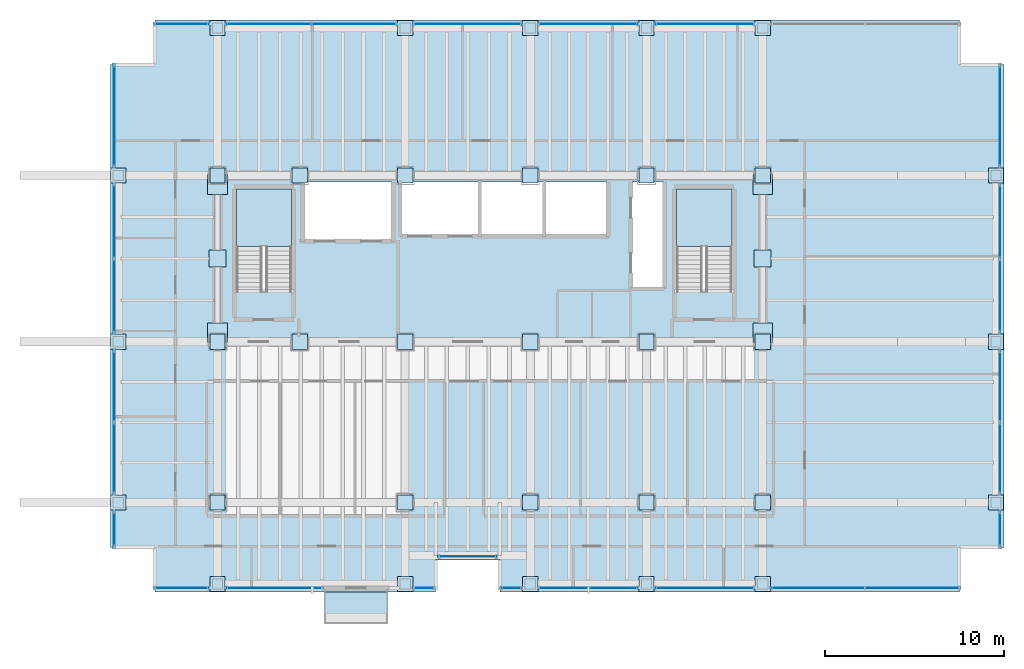
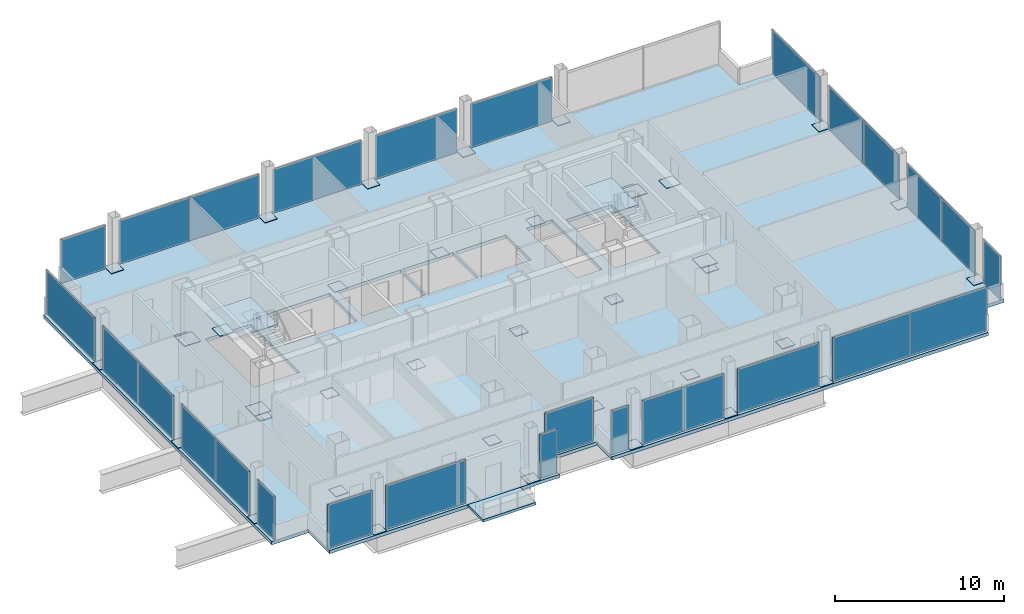
# One storey, part 19 of 23: 66 plates, 4 slabs, 7 openings, 23 elements without a shape of their own.
"""IFC4 building model written with IfcOpenShell, lengths in metres."""

from ifc_helpers import new_model, si_unit, direction, frame, origin, origin_2d, place, context, subcontext, project, spatial, polyline, rectangle, outline, extrude, material, layer, layer_set, type_object, element, aggregate, save


model = new_model("IFC4")

# Units and contexts
model_context = context("Model", 3, precision=1e-05, world=origin(), true_north=direction((0.0, 1.0)))
body_context = subcontext(model_context, "Body", "Model", "MODEL_VIEW")
ifc_project = project(units=[si_unit("LENGTHUNIT", "METRE"), si_unit("AREAUNIT", "SQUARE_METRE"), si_unit("VOLUMEUNIT", "CUBIC_METRE"), si_unit("PLANEANGLEUNIT", "RADIAN"), si_unit("MASSUNIT", "GRAM", prefix="KILO")], contexts=[model_context])

# Site, building, storey
site_placement = place(None, origin())
site = spatial("IfcSite", under=ifc_project, at=site_placement, CompositionType="ELEMENT")
building_placement = place(site_placement, origin())
building = spatial("IfcBuilding", under=site, at=building_placement, Name="Noeulbin Bourse Tower", CompositionType="ELEMENT")
storey_placement = place(building_placement, frame((0.0, 0.0, 53.800048828125)))
storey = spatial("IfcBuildingStorey", under=building, at=storey_placement, Name="L13", CompositionType="ELEMENT", Elevation=53.800048828125)

# Curtain wall, plate
ifc_material_1 = material(Name="Dark Solar-Control Double Glazing", Category="glass")
curtain_wall_type = type_object("IfcCurtainWallType", Name="CW-SYS-2", PredefinedType="NOTDEFINED", material=ifc_material_1)
curtain_wall_1_placement = place(storey_placement, origin())
curtain_wall_1 = element("IfcCurtainWall", 1, at=curtain_wall_1_placement, inside=storey, type_object=curtain_wall_type, Name="Unitised Curtain Wall CW-L13-SREC", PredefinedType="NOTDEFINED")
ifc_layer_1 = layer(ifc_material_1, 0.035888671875)
ifc_layer_set_1 = layer_set([ifc_layer_1], Name="Dark Solar-Control Double Glazing")
plate_type_1 = type_object("IfcPlateType", Name="CW-SYS-2-PNL", PredefinedType="CURTAIN_PANEL", material=ifc_layer_set_1)
plate_1_placement = place(storey_placement, frame((27.5, 16.97998046875, 0.0), z_axis=(0.0, 0.0, 1.0), x_axis=(1.0, 0.0, 0.0)))
plate_1 = element("IfcPlate", 2, at=plate_1_placement, type_object=plate_type_1, Name="Glazed Curtain Panel CW-L13-SREC-P00", PredefinedType="CURTAIN_PANEL", context=body_context, shape_type="SweptSolid", body=[
    extrude(rectangle(XDim=3.300048828125, YDim=0.035888671875, at=origin_2d()), origin(), (0.0, 0.0, 1.0), 3.179931640625),
])
aggregate(curtain_wall_1, [plate_1])

curtain_wall_2_placement = place(storey_placement, origin())
curtain_wall_2 = element("IfcCurtainWall", 3, at=curtain_wall_2_placement, inside=storey, type_object=curtain_wall_type, Name="Unitised Curtain Wall CW-L13-S1-S1", PredefinedType="NOTDEFINED")
plate_2_placement = place(storey_placement, frame((11.510009765625, 15.219970703125, 0.0), z_axis=(0.0, 0.0, 1.0), x_axis=(1.0, 0.0, 0.0)))
plate_2 = element("IfcPlate", 4, at=plate_2_placement, type_object=plate_type_1, Name="Glazed Curtain Panel CW-L13-S1-S1-P00", PredefinedType="CURTAIN_PANEL", context=body_context, shape_type="SweptSolid", body=[
    extrude(rectangle(XDim=3.06005859375, YDim=0.035888671875, at=origin_2d()), origin(), (0.0, 0.0, 1.0), 3.179931640625),
])
aggregate(curtain_wall_2, [plate_2])

curtain_wall_3_placement = place(storey_placement, origin())
curtain_wall_3 = element("IfcCurtainWall", 5, at=curtain_wall_3_placement, inside=storey, type_object=curtain_wall_type, Name="Unitised Curtain Wall CW-L13-S1-S2", PredefinedType="NOTDEFINED")
plate_3_placement = place(storey_placement, frame((16.679931640625, 15.219970703125, 0.0), z_axis=(0.0, 0.0, 1.0), x_axis=(1.0, 0.0, 0.0)))
plate_3 = element("IfcPlate", 6, at=plate_3_placement, type_object=plate_type_1, Name="Glazed Curtain Panel CW-L13-S1-S2-P00", PredefinedType="CURTAIN_PANEL", context=body_context, shape_type="SweptSolid", body=[
    extrude(rectangle(XDim=5.43994140625, YDim=0.035888671875, at=origin_2d()), origin(), (0.0, 0.0, 1.0), 3.179931640625),
])
aggregate(curtain_wall_3, [plate_3])

curtain_wall_4_placement = place(storey_placement, origin())
curtain_wall_4 = element("IfcCurtainWall", 7, at=curtain_wall_4_placement, inside=storey, type_object=curtain_wall_type, Name="Unitised Curtain Wall CW-L13-S2", PredefinedType="NOTDEFINED")
plate_4_placement = place(storey_placement, frame((25.054931640625, 15.219970703125, 0.0), z_axis=(0.0, 0.0, 1.0), x_axis=(1.0, 0.0, 0.0)))
plate_4 = element("IfcPlate", 8, at=plate_4_placement, type_object=plate_type_1, Name="Glazed Curtain Panel CW-L13-S2-P00", PredefinedType="CURTAIN_PANEL", context=body_context, shape_type="SweptSolid", body=[
    extrude(rectangle(XDim=1.18994140625, YDim=0.035888671875, at=origin_2d()), origin(), (0.0, 0.0, 1.0), 3.179931640625),
])
aggregate(curtain_wall_4, [plate_4])

curtain_wall_5_placement = place(storey_placement, origin())
curtain_wall_5 = element("IfcCurtainWall", 9, at=curtain_wall_5_placement, inside=storey, type_object=curtain_wall_type, Name="Unitised Curtain Wall CW-L13-S3-S1", PredefinedType="NOTDEFINED")
plate_5_placement = place(storey_placement, frame((29.945068359375, 15.219970703125, 0.0), z_axis=(0.0, 0.0, 1.0), x_axis=(1.0, 0.0, 0.0)))
plate_5 = element("IfcPlate", 10, at=plate_5_placement, type_object=plate_type_1, Name="Glazed Curtain Panel CW-L13-S3-S1-P00", PredefinedType="CURTAIN_PANEL", context=body_context, shape_type="SweptSolid", body=[
    extrude(rectangle(XDim=1.18994140625, YDim=0.035888671875, at=origin_2d()), origin(), (0.0, 0.0, 1.0), 3.179931640625),
])
aggregate(curtain_wall_5, [plate_5])

curtain_wall_6_placement = place(storey_placement, origin())
curtain_wall_6 = element("IfcCurtainWall", 11, at=curtain_wall_6_placement, inside=storey, type_object=curtain_wall_type, Name="Unitised Curtain Wall CW-L13-S3-S2", PredefinedType="NOTDEFINED")
plate_6_placement = place(storey_placement, frame((34.25, 15.219970703125, 0.0), z_axis=(0.0, 0.0, 1.0), x_axis=(1.0, 0.0, 0.0)))
plate_6 = element("IfcPlate", 12, at=plate_6_placement, type_object=plate_type_1, Name="Glazed Curtain Panel CW-L13-S3-S2-P00", PredefinedType="CURTAIN_PANEL", context=body_context, shape_type="SweptSolid", body=[
    extrude(rectangle(XDim=5.580078125, YDim=0.035888671875, at=origin_2d()), origin(), (0.0, 0.0, 1.0), 3.179931640625),
])
aggregate(curtain_wall_6, [plate_6])

curtain_wall_7_placement = place(storey_placement, origin())
curtain_wall_7 = element("IfcCurtainWall", 13, at=curtain_wall_7_placement, inside=storey, type_object=curtain_wall_type, Name="Unitised Curtain Wall CW-L13-S3-S3", PredefinedType="NOTDEFINED")
plate_7_placement = place(storey_placement, frame((40.75, 15.219970703125, 0.0), z_axis=(0.0, 0.0, 1.0), x_axis=(1.0, 0.0, 0.0)))
plate_7 = element("IfcPlate", 14, at=plate_7_placement, type_object=plate_type_1, Name="Glazed Curtain Panel CW-L13-S3-S3-P00", PredefinedType="CURTAIN_PANEL", context=body_context, shape_type="SweptSolid", body=[
    extrude(rectangle(XDim=5.580078125, YDim=0.035888671875, at=origin_2d()), origin(), (0.0, 0.0, 1.0), 3.179931640625),
])
aggregate(curtain_wall_7, [plate_7])

# Curtain wall, plates
curtain_wall_8_placement = place(storey_placement, origin())
curtain_wall_8 = element("IfcCurtainWall", 15, at=curtain_wall_8_placement, inside=storey, type_object=curtain_wall_type, Name="Unitised Curtain Wall CW-L13-S3-S4", PredefinedType="NOTDEFINED")
plate_8_placement = place(storey_placement, frame((47.10009765625, 15.219970703125, 0.0), z_axis=(0.0, 0.0, 1.0), x_axis=(1.0, 0.0, 0.0)))
plate_8 = element("IfcPlate", 16, at=plate_8_placement, type_object=plate_type_1, Name="Glazed Curtain Panel CW-L13-S3-S4-P00", PredefinedType="CURTAIN_PANEL", context=body_context, shape_type="SweptSolid", body=[
    extrude(rectangle(XDim=5.280029296875, YDim=0.035888671875, at=origin_2d()), origin(), (0.0, 0.0, 1.0), 3.179931640625),
])
plate_9_placement = place(storey_placement, frame((52.3798828125, 15.219970703125, 0.0), z_axis=(0.0, 0.0, 1.0), x_axis=(1.0, 0.0, 0.0)))
plate_9 = element("IfcPlate", 17, at=plate_9_placement, type_object=plate_type_1, Name="Glazed Curtain Panel CW-L13-S3-S4-P01", PredefinedType="CURTAIN_PANEL", context=body_context, shape_type="SweptSolid", body=[
    extrude(rectangle(XDim=5.280029296875, YDim=0.035888671875, at=origin_2d()), origin(), (0.0, 0.0, 1.0), 3.179931640625),
])
aggregate(curtain_wall_8, [plate_8, plate_9])

# Curtain wall, plate
curtain_wall_9_placement = place(storey_placement, origin())
curtain_wall_9 = element("IfcCurtainWall", 18, at=curtain_wall_9_placement, inside=storey, type_object=curtain_wall_type, Name="Unitised Curtain Wall CW-L13-N-S1", PredefinedType="NOTDEFINED")
plate_10_placement = place(storey_placement, frame((11.510009765625, 46.780029296875, 0.0), z_axis=(0.0, 0.0, 1.0), x_axis=(1.0, 0.0, 0.0)))
plate_10 = element("IfcPlate", 19, at=plate_10_placement, type_object=plate_type_1, Name="Glazed Curtain Panel CW-L13-N-S1-P00", PredefinedType="CURTAIN_PANEL", context=body_context, shape_type="SweptSolid", body=[
    extrude(rectangle(XDim=3.06005859375, YDim=0.035888671875, at=origin_2d()), origin(), (0.0, 0.0, 1.0), 3.179931640625),
])
aggregate(curtain_wall_9, [plate_10])

# Curtain wall, plates
curtain_wall_10_placement = place(storey_placement, origin())
curtain_wall_10 = element("IfcCurtainWall", 20, at=curtain_wall_10_placement, inside=storey, type_object=curtain_wall_type, Name="Unitised Curtain Wall CW-L13-N-S2", PredefinedType="NOTDEFINED")
plate_11_placement = place(storey_placement, frame((16.35498046875, 46.780029296875, 0.0), z_axis=(0.0, 0.0, 1.0), x_axis=(1.0, 0.0, 0.0)))
plate_11 = element("IfcPlate", 21, at=plate_11_placement, type_object=plate_type_1, Name="Glazed Curtain Panel CW-L13-N-S2-P00", PredefinedType="CURTAIN_PANEL", context=body_context, shape_type="SweptSolid", body=[
    extrude(rectangle(XDim=4.7900390625, YDim=0.035888671875, at=origin_2d()), origin(), (0.0, 0.0, 1.0), 3.179931640625),
])
plate_12_placement = place(storey_placement, frame((21.14501953125, 46.780029296875, 0.0), z_axis=(0.0, 0.0, 1.0), x_axis=(1.0, 0.0, 0.0)))
plate_12 = element("IfcPlate", 22, at=plate_12_placement, type_object=plate_type_1, Name="Glazed Curtain Panel CW-L13-N-S2-P01", PredefinedType="CURTAIN_PANEL", context=body_context, shape_type="SweptSolid", body=[
    extrude(rectangle(XDim=4.7900390625, YDim=0.035888671875, at=origin_2d()), origin(), (0.0, 0.0, 1.0), 3.179931640625),
])
aggregate(curtain_wall_10, [plate_11, plate_12])

# Curtain wall, plate
curtain_wall_11_placement = place(storey_placement, origin())
curtain_wall_11 = element("IfcCurtainWall", 23, at=curtain_wall_11_placement, inside=storey, type_object=curtain_wall_type, Name="Unitised Curtain Wall CW-L13-N-S3", PredefinedType="NOTDEFINED")
plate_13_placement = place(storey_placement, frame((27.5, 46.780029296875, 0.0), z_axis=(0.0, 0.0, 1.0), x_axis=(1.0, 0.0, 0.0)))
plate_13 = element("IfcPlate", 24, at=plate_13_placement, type_object=plate_type_1, Name="Glazed Curtain Panel CW-L13-N-S3-P00", PredefinedType="CURTAIN_PANEL", context=body_context, shape_type="SweptSolid", body=[
    extrude(rectangle(XDim=6.080078125, YDim=0.035888671875, at=origin_2d()), origin(), (0.0, 0.0, 1.0), 3.179931640625),
])
aggregate(curtain_wall_11, [plate_13])

curtain_wall_12_placement = place(storey_placement, origin())
curtain_wall_12 = element("IfcCurtainWall", 25, at=curtain_wall_12_placement, inside=storey, type_object=curtain_wall_type, Name="Unitised Curtain Wall CW-L13-N-S4", PredefinedType="NOTDEFINED")
plate_14_placement = place(storey_placement, frame((34.25, 46.780029296875, 0.0), z_axis=(0.0, 0.0, 1.0), x_axis=(1.0, 0.0, 0.0)))
plate_14 = element("IfcPlate", 26, at=plate_14_placement, type_object=plate_type_1, Name="Glazed Curtain Panel CW-L13-N-S4-P00", PredefinedType="CURTAIN_PANEL", context=body_context, shape_type="SweptSolid", body=[
    extrude(rectangle(XDim=5.580078125, YDim=0.035888671875, at=origin_2d()), origin(), (0.0, 0.0, 1.0), 3.179931640625),
])
aggregate(curtain_wall_12, [plate_14])

curtain_wall_13_placement = place(storey_placement, origin())
curtain_wall_13 = element("IfcCurtainWall", 27, at=curtain_wall_13_placement, inside=storey, type_object=curtain_wall_type, Name="Unitised Curtain Wall CW-L13-N-S5", PredefinedType="NOTDEFINED")
plate_15_placement = place(storey_placement, frame((40.75, 46.780029296875, 0.0), z_axis=(0.0, 0.0, 1.0), x_axis=(1.0, 0.0, 0.0)))
plate_15 = element("IfcPlate", 28, at=plate_15_placement, type_object=plate_type_1, Name="Glazed Curtain Panel CW-L13-N-S5-P00", PredefinedType="CURTAIN_PANEL", context=body_context, shape_type="SweptSolid", body=[
    extrude(rectangle(XDim=5.580078125, YDim=0.035888671875, at=origin_2d()), origin(), (0.0, 0.0, 1.0), 3.179931640625),
])
aggregate(curtain_wall_13, [plate_15])

curtain_wall_14_placement = place(storey_placement, origin())
curtain_wall_14 = element("IfcCurtainWall", 29, at=curtain_wall_14_placement, inside=storey, type_object=curtain_wall_type, Name="Unitised Curtain Wall CW-L13-W-S1", PredefinedType="NOTDEFINED")
plate_16_placement = place(storey_placement, frame((7.719970703125, 18.510009765625, 0.0), z_axis=(0.0, 0.0, 1.0), x_axis=(0.0, 1.0, 0.0)))
plate_16 = element("IfcPlate", 30, at=plate_16_placement, type_object=plate_type_1, Name="Glazed Curtain Panel CW-L13-W-S1-P00", PredefinedType="CURTAIN_PANEL", context=body_context, shape_type="SweptSolid", body=[
    extrude(rectangle(XDim=2.06005859375, YDim=0.035888671875, at=origin_2d()), origin(), (0.0, 0.0, 1.0), 3.179931640625),
])
aggregate(curtain_wall_14, [plate_16])

# Curtain wall, plates
curtain_wall_15_placement = place(storey_placement, origin())
curtain_wall_15 = element("IfcCurtainWall", 31, at=curtain_wall_15_placement, inside=storey, type_object=curtain_wall_type, Name="Unitised Curtain Wall CW-L13-W-S2", PredefinedType="NOTDEFINED")
plate_17_placement = place(storey_placement, frame((7.719970703125, 22.47998046875, 0.0), z_axis=(0.0, 0.0, 1.0), x_axis=(0.0, 1.0, 0.0)))
plate_17 = element("IfcPlate", 32, at=plate_17_placement, type_object=plate_type_1, Name="Glazed Curtain Panel CW-L13-W-S2-P00", PredefinedType="CURTAIN_PANEL", context=body_context, shape_type="SweptSolid", body=[
    extrude(rectangle(XDim=4.0400390625, YDim=0.035888671875, at=origin_2d()), origin(), (0.0, 0.0, 1.0), 3.179931640625),
])
plate_18_placement = place(storey_placement, frame((7.719970703125, 26.52001953125, 0.0), z_axis=(0.0, 0.0, 1.0), x_axis=(0.0, 1.0, 0.0)))
plate_18 = element("IfcPlate", 33, at=plate_18_placement, type_object=plate_type_1, Name="Glazed Curtain Panel CW-L13-W-S2-P01", PredefinedType="CURTAIN_PANEL", context=body_context, shape_type="SweptSolid", body=[
    extrude(rectangle(XDim=4.0400390625, YDim=0.035888671875, at=origin_2d()), origin(), (0.0, 0.0, 1.0), 3.179931640625),
])
aggregate(curtain_wall_15, [plate_17, plate_18])

curtain_wall_16_placement = place(storey_placement, origin())
curtain_wall_16 = element("IfcCurtainWall", 34, at=curtain_wall_16_placement, inside=storey, type_object=curtain_wall_type, Name="Unitised Curtain Wall CW-L13-W-S3", PredefinedType="NOTDEFINED")
plate_19_placement = place(storey_placement, frame((7.719970703125, 31.554931640625, 0.0), z_axis=(0.0, 0.0, 1.0), x_axis=(0.0, 1.0, 0.0)))
plate_19 = element("IfcPlate", 35, at=plate_19_placement, type_object=plate_type_1, Name="Glazed Curtain Panel CW-L13-W-S3-P00", PredefinedType="CURTAIN_PANEL", context=body_context, shape_type="SweptSolid", body=[
    extrude(rectangle(XDim=4.18994140625, YDim=0.035888671875, at=origin_2d()), origin(), (0.0, 0.0, 1.0), 3.179931640625),
])
plate_20_placement = place(storey_placement, frame((7.719970703125, 35.7451171875, 0.0), z_axis=(0.0, 0.0, 1.0), x_axis=(0.0, 1.0, 0.0)))
plate_20 = element("IfcPlate", 36, at=plate_20_placement, type_object=plate_type_1, Name="Glazed Curtain Panel CW-L13-W-S3-P01", PredefinedType="CURTAIN_PANEL", context=body_context, shape_type="SweptSolid", body=[
    extrude(rectangle(XDim=4.18994140625, YDim=0.035888671875, at=origin_2d()), origin(), (0.0, 0.0, 1.0), 3.179931640625),
])
aggregate(curtain_wall_16, [plate_19, plate_20])

# Curtain wall, plate
curtain_wall_17_placement = place(storey_placement, origin())
curtain_wall_17 = element("IfcCurtainWall", 37, at=curtain_wall_17_placement, inside=storey, type_object=curtain_wall_type, Name="Unitised Curtain Wall CW-L13-W-S4", PredefinedType="NOTDEFINED")
plate_21_placement = place(storey_placement, frame((7.719970703125, 41.639892578125, 0.0), z_axis=(0.0, 0.0, 1.0), x_axis=(0.0, 1.0, 0.0)))
plate_21 = element("IfcPlate", 38, at=plate_21_placement, type_object=plate_type_1, Name="Glazed Curtain Panel CW-L13-W-S4-P00", PredefinedType="CURTAIN_PANEL", context=body_context, shape_type="SweptSolid", body=[
    extrude(rectangle(XDim=5.760009765625, YDim=0.035888671875, at=origin_2d()), origin(), (0.0, 0.0, 1.0), 3.179931640625),
])
aggregate(curtain_wall_17, [plate_21])

curtain_wall_18_placement = place(storey_placement, origin())
curtain_wall_18 = element("IfcCurtainWall", 39, at=curtain_wall_18_placement, inside=storey, type_object=curtain_wall_type, Name="Unitised Curtain Wall CW-L13-E-S1", PredefinedType="NOTDEFINED")
plate_22_placement = place(storey_placement, frame((57.280029296875, 18.510009765625, 0.0), z_axis=(0.0, 0.0, 1.0), x_axis=(0.0, 1.0, 0.0)))
plate_22 = element("IfcPlate", 40, at=plate_22_placement, type_object=plate_type_1, Name="Glazed Curtain Panel CW-L13-E-S1-P00", PredefinedType="CURTAIN_PANEL", context=body_context, shape_type="SweptSolid", body=[
    extrude(rectangle(XDim=2.06005859375, YDim=0.035888671875, at=origin_2d()), origin(), (0.0, 0.0, 1.0), 3.179931640625),
])
aggregate(curtain_wall_18, [plate_22])

# Curtain wall, plates
curtain_wall_19_placement = place(storey_placement, origin())
curtain_wall_19 = element("IfcCurtainWall", 41, at=curtain_wall_19_placement, inside=storey, type_object=curtain_wall_type, Name="Unitised Curtain Wall CW-L13-E-S2", PredefinedType="NOTDEFINED")
plate_23_placement = place(storey_placement, frame((57.280029296875, 22.47998046875, 0.0), z_axis=(0.0, 0.0, 1.0), x_axis=(0.0, 1.0, 0.0)))
plate_23 = element("IfcPlate", 42, at=plate_23_placement, type_object=plate_type_1, Name="Glazed Curtain Panel CW-L13-E-S2-P00", PredefinedType="CURTAIN_PANEL", context=body_context, shape_type="SweptSolid", body=[
    extrude(rectangle(XDim=4.0400390625, YDim=0.035888671875, at=origin_2d()), origin(), (0.0, 0.0, 1.0), 3.179931640625),
])
plate_24_placement = place(storey_placement, frame((57.280029296875, 26.52001953125, 0.0), z_axis=(0.0, 0.0, 1.0), x_axis=(0.0, 1.0, 0.0)))
plate_24 = element("IfcPlate", 43, at=plate_24_placement, type_object=plate_type_1, Name="Glazed Curtain Panel CW-L13-E-S2-P01", PredefinedType="CURTAIN_PANEL", context=body_context, shape_type="SweptSolid", body=[
    extrude(rectangle(XDim=4.0400390625, YDim=0.035888671875, at=origin_2d()), origin(), (0.0, 0.0, 1.0), 3.179931640625),
])
aggregate(curtain_wall_19, [plate_23, plate_24])

curtain_wall_20_placement = place(storey_placement, origin())
curtain_wall_20 = element("IfcCurtainWall", 44, at=curtain_wall_20_placement, inside=storey, type_object=curtain_wall_type, Name="Unitised Curtain Wall CW-L13-E-S3", PredefinedType="NOTDEFINED")
plate_25_placement = place(storey_placement, frame((57.280029296875, 31.554931640625, 0.0), z_axis=(0.0, 0.0, 1.0), x_axis=(0.0, 1.0, 0.0)))
plate_25 = element("IfcPlate", 45, at=plate_25_placement, type_object=plate_type_1, Name="Glazed Curtain Panel CW-L13-E-S3-P00", PredefinedType="CURTAIN_PANEL", context=body_context, shape_type="SweptSolid", body=[
    extrude(rectangle(XDim=4.18994140625, YDim=0.035888671875, at=origin_2d()), origin(), (0.0, 0.0, 1.0), 3.179931640625),
])
plate_26_placement = place(storey_placement, frame((57.280029296875, 35.7451171875, 0.0), z_axis=(0.0, 0.0, 1.0), x_axis=(0.0, 1.0, 0.0)))
plate_26 = element("IfcPlate", 46, at=plate_26_placement, type_object=plate_type_1, Name="Glazed Curtain Panel CW-L13-E-S3-P01", PredefinedType="CURTAIN_PANEL", context=body_context, shape_type="SweptSolid", body=[
    extrude(rectangle(XDim=4.18994140625, YDim=0.035888671875, at=origin_2d()), origin(), (0.0, 0.0, 1.0), 3.179931640625),
])
aggregate(curtain_wall_20, [plate_25, plate_26])

# Curtain wall, plate
curtain_wall_21_placement = place(storey_placement, origin())
curtain_wall_21 = element("IfcCurtainWall", 47, at=curtain_wall_21_placement, inside=storey, type_object=curtain_wall_type, Name="Unitised Curtain Wall CW-L13-E-S4", PredefinedType="NOTDEFINED")
plate_27_placement = place(storey_placement, frame((57.280029296875, 41.639892578125, 0.0), z_axis=(0.0, 0.0, 1.0), x_axis=(0.0, 1.0, 0.0)))
plate_27 = element("IfcPlate", 48, at=plate_27_placement, type_object=plate_type_1, Name="Glazed Curtain Panel CW-L13-E-S4-P00", PredefinedType="CURTAIN_PANEL", context=body_context, shape_type="SweptSolid", body=[
    extrude(rectangle(XDim=5.760009765625, YDim=0.035888671875, at=origin_2d()), origin(), (0.0, 0.0, 1.0), 3.179931640625),
])
aggregate(curtain_wall_21, [plate_27])

# Plates
ifc_material_2 = material(Name="Steel S355", Category="steel")
ifc_layer_2 = layer(ifc_material_2, 0.030029296875)
ifc_layer_set_2 = layer_set([ifc_layer_2], Name="Steel S355")
plate_type_2 = type_object("IfcPlateType", Name="PLT-BN1", PredefinedType="USERDEFINED", material=ifc_layer_set_2)
for number, where, z_axis, x_axis, name in (
    (49, (13.5, 29.0, 0.0048828125), (0.0, 0.0, 1.0), (1.0, 0.0, 0.0), "Mega-Column Splice Plate BN1-L13-01"),
    (50, (13.5, 38.300048828125, 0.0048828125), (0.0, 0.0, 1.0), (1.0, 0.0, 0.0), "Mega-Column Splice Plate BN1-L13-02"),
    (51, (18.10009765625, 29.0, 0.0048828125), (0.0, 0.0, 1.0), (1.0, 0.0, 0.0), "Mega-Column Splice Plate BN1-L13-03"),
    (52, (18.10009765625, 38.300048828125, 0.0048828125), (0.0, 0.0, 1.0), (1.0, 0.0, 0.0), "Mega-Column Splice Plate BN1-L13-04"),
    (53, (24.0, 29.0, 0.0048828125), (0.0, 0.0, 1.0), (1.0, 0.0, 0.0), "Mega-Column Splice Plate BN1-L13-05"),
    (54, (24.0, 38.300048828125, 0.0048828125), (0.0, 0.0, 1.0), (1.0, 0.0, 0.0), "Mega-Column Splice Plate BN1-L13-06"),
    (55, (31.0, 29.0, 0.0048828125), (0.0, 0.0, 1.0), (1.0, 0.0, 0.0), "Mega-Column Splice Plate BN1-L13-07"),
    (56, (31.0, 38.300048828125, 0.0048828125), (0.0, 0.0, 1.0), (1.0, 0.0, 0.0), "Mega-Column Splice Plate BN1-L13-08"),
    (57, (37.5, 29.0, 0.0048828125), (0.0, 0.0, 1.0), (1.0, 0.0, 0.0), "Mega-Column Splice Plate BN1-L13-09"),
    (58, (37.5, 38.300048828125, 0.0048828125), (0.0, 0.0, 1.0), (1.0, 0.0, 0.0), "Mega-Column Splice Plate BN1-L13-10"),
    (59, (44.0, 29.0, 0.0048828125), (0.0, 0.0, 1.0), (1.0, 0.0, 0.0), "Mega-Column Splice Plate BN1-L13-11"),
    (60, (44.0, 38.300048828125, 0.0048828125), (0.0, 0.0, 1.0), (1.0, 0.0, 0.0), "Mega-Column Splice Plate BN1-L13-12"),
    (61, (13.5, 20.0, 0.0048828125), (0.0, 0.0, 1.0), (1.0, 0.0, 0.0), "Mega-Column Splice Plate BN1-L13-13"),
    (62, (24.0, 20.0, 0.0048828125), (0.0, 0.0, 1.0), (1.0, 0.0, 0.0), "Mega-Column Splice Plate BN1-L13-14"),
    (63, (31.0, 20.0, 0.0048828125), (0.0, 0.0, 1.0), (1.0, 0.0, 0.0), "Mega-Column Splice Plate BN1-L13-15"),
    (64, (37.5, 20.0, 0.0048828125), (0.0, 0.0, 1.0), (1.0, 0.0, 0.0), "Mega-Column Splice Plate BN1-L13-16"),
    (65, (44.0, 20.0, 0.0048828125), (0.0, 0.0, 1.0), (1.0, 0.0, 0.0), "Mega-Column Splice Plate BN1-L13-17"),
    (66, (7.949951171875, 20.0, 0.0048828125), (0.0, 0.0, 1.0), (1.0, 0.0, 0.0), "Perimeter Column Splice Plate BN1-L13-01"),
    (67, (7.949951171875, 29.0, 0.0048828125), (0.0, 0.0, 1.0), (1.0, 0.0, 0.0), "Perimeter Column Splice Plate BN1-L13-02"),
    (68, (7.949951171875, 38.300048828125, 0.0048828125), (0.0, 0.0, 1.0), (1.0, 0.0, 0.0), "Perimeter Column Splice Plate BN1-L13-03"),
    (69, (13.5, 15.449951171875, 0.0048828125), (0.0, 0.0, 1.0), (1.0, 0.0, 0.0), "Perimeter Column Splice Plate BN1-L13-04"),
    (70, (13.5, 46.550048828125, 0.0048828125), (0.0, 0.0, 1.0), (1.0, 0.0, 0.0), "Perimeter Column Splice Plate BN1-L13-05"),
    (71, (24.0, 15.449951171875, 0.0048828125), (0.0, 0.0, 1.0), (1.0, 0.0, 0.0), "Perimeter Column Splice Plate BN1-L13-06"),
    (72, (24.0, 46.550048828125, 0.0048828125), (0.0, 0.0, 1.0), (1.0, 0.0, 0.0), "Perimeter Column Splice Plate BN1-L13-07"),
    (73, (31.0, 15.449951171875, 0.0048828125), (0.0, 0.0, 1.0), (1.0, 0.0, 0.0), "Perimeter Column Splice Plate BN1-L13-08"),
    (74, (31.0, 46.550048828125, 0.0048828125), (0.0, 0.0, 1.0), (1.0, 0.0, 0.0), "Perimeter Column Splice Plate BN1-L13-09"),
    (75, (37.5, 15.449951171875, 0.0048828125), (0.0, 0.0, 1.0), (1.0, 0.0, 0.0), "Perimeter Column Splice Plate BN1-L13-10"),
    (76, (37.5, 46.550048828125, 0.0048828125), (0.0, 0.0, 1.0), (1.0, 0.0, 0.0), "Perimeter Column Splice Plate BN1-L13-11"),
    (77, (44.0, 15.449951171875, 0.0048828125), (0.0, 0.0, 1.0), (1.0, 0.0, 0.0), "Perimeter Column Splice Plate BN1-L13-12"),
    (78, (44.0, 46.550048828125, 0.0048828125), (0.0, 0.0, 1.0), (1.0, 0.0, 0.0), "Perimeter Column Splice Plate BN1-L13-13"),
    (79, (57.050048828125, 20.0, 0.0048828125), (0.0, 0.0, 1.0), (1.0, 0.0, 0.0), "Perimeter Column Splice Plate BN1-L13-14"),
    (80, (57.050048828125, 29.0, 0.0048828125), (0.0, 0.0, 1.0), (1.0, 0.0, 0.0), "Perimeter Column Splice Plate BN1-L13-15"),
    (81, (57.050048828125, 38.300048828125, 0.0048828125), (0.0, 0.0, 1.0), (1.0, 0.0, 0.0), "Perimeter Column Splice Plate BN1-L13-16"),
):
    element("IfcPlate", number, at=place(storey_placement, frame(where, z_axis=z_axis, x_axis=x_axis)), inside=storey, type_object=plate_type_2, Name=name, ObjectType="SPLICE PLATE", PredefinedType="USERDEFINED", context=body_context, shape_type="SweptSolid", body=[
        extrude(rectangle(XDim=0.85009765625, YDim=0.85009765625, at=origin_2d()), origin(), (0.0, 0.0, 1.0), 0.030029296875),
    ])
ifc_material_3 = material(Name="Steel S460", Category="steel")
ifc_layer_3 = layer(ifc_material_3, 0.035888671875)
ifc_layer_set_3 = layer_set([ifc_layer_3], Name="Steel S460")
plate_type_3 = type_object("IfcPlateType", Name="PLT-KN2", PredefinedType="USERDEFINED", material=ifc_layer_set_3)
for number, where, z_axis, x_axis, name in (
    (82, (13.5, 29.5, 0.18212890625), (0.0, 0.0, 1.0), (1.0, 0.0, 0.0), "Core Flank Brace South Gusset Plate KN2-L13-WA"),
    (83, (13.5, 37.800048828125, 0.18212890625), (0.0, 0.0, 1.0), (1.0, 0.0, 0.0), "Core Flank Brace North Gusset Plate KN2-L13-WB"),
    (84, (44.0, 29.5, 0.18212890625), (0.0, 0.0, 1.0), (1.0, 0.0, 0.0), "Core Flank Brace South Gusset Plate KN2-L13-EA"),
    (85, (44.0, 37.800048828125, 0.18212890625), (0.0, 0.0, 1.0), (1.0, 0.0, 0.0), "Core Flank Brace North Gusset Plate KN2-L13-EB"),
):
    element("IfcPlate", number, at=place(storey_placement, frame(where, z_axis=z_axis, x_axis=x_axis)), inside=storey, type_object=plate_type_3, Name=name, ObjectType="GUSSET PLATE", PredefinedType="USERDEFINED", context=body_context, shape_type="SweptSolid", body=[
        extrude(rectangle(XDim=1.10009765625, YDim=1.10009765625, at=origin_2d()), origin(), (0.0, 0.0, 1.0), 0.035888671875),
    ])
ifc_layer_4 = layer(ifc_material_2, 0.031982421875)
ifc_layer_set_4 = layer_set([ifc_layer_4], Name="Steel S355")
plate_type_4 = type_object("IfcPlateType", Name="PLT-KN3", PredefinedType="USERDEFINED", material=ifc_layer_set_4)
for number, where, z_axis, x_axis, name in (
    (86, (13.5, 33.64990234375, 3.35400390625), (0.0, 0.0, 1.0), (1.0, 0.0, 0.0), "Core Flank Brace Apex End Plate KN3-L13-W"),
    (87, (44.0, 33.64990234375, 3.35400390625), (0.0, 0.0, 1.0), (1.0, 0.0, 0.0), "Core Flank Brace Apex End Plate KN3-L13-E"),
):
    element("IfcPlate", number, at=place(storey_placement, frame(where, z_axis=z_axis, x_axis=x_axis)), inside=storey, type_object=plate_type_4, Name=name, ObjectType="END PLATE", PredefinedType="USERDEFINED", context=body_context, shape_type="SweptSolid", body=[
        extrude(rectangle(XDim=0.949951171875, YDim=0.949951171875, at=origin_2d()), origin(), (0.0, 0.0, 1.0), 0.031982421875),
    ])

# Stair, slab
ifc_material_4 = material(Name="Concrete C40/50", Category="concrete")
stair_type = type_object("IfcStairType", Name="STR-CORE-1560", PredefinedType="HALF_TURN_STAIR", material=ifc_material_4)
stair_1_placement = place(storey_placement, origin())
stair_1 = element("IfcStair", 88, at=stair_1_placement, inside=storey, type_object=stair_type, Name="L13 ST-1", PredefinedType="HALF_TURN_STAIR")
ifc_layer_5 = layer(ifc_material_4, 0.199951171875)
ifc_layer_set_5 = layer_set([ifc_layer_5], Name="Concrete C40/50")
slab_type_1 = type_object("IfcSlabType", Name="SLB-LND-200", PredefinedType="LANDING", material=ifc_layer_set_5)
slab_1_placement = place(storey_placement, frame((0.0, 0.0, 1.75)))
slab_1 = element("IfcSlab", 89, at=slab_1_placement, type_object=slab_type_1, Name="ST-1 landing 1", PredefinedType="LANDING", context=body_context, shape_type="SweptSolid", body=[
    extrude(outline(polyline([(17.64990234375, 34.330078125), (17.64990234375, 37.5439453125), (14.550048828125, 37.5439453125), (14.550048828125, 34.330078125), (17.64990234375, 34.330078125)])), origin(), (0.0, 0.0, 1.0), 0.199951171875),
])
aggregate(stair_1, [slab_1])

stair_2_placement = place(storey_placement, origin())
stair_2 = element("IfcStair", 90, at=stair_2_placement, inside=storey, type_object=stair_type, Name="L13 ST-2", PredefinedType="HALF_TURN_STAIR")
slab_2_placement = place(storey_placement, frame((0.0, 0.0, 1.75)))
slab_2 = element("IfcSlab", 91, at=slab_2_placement, type_object=slab_type_1, Name="ST-2 landing 1", PredefinedType="LANDING", context=body_context, shape_type="SweptSolid", body=[
    extrude(outline(polyline([(42.280029296875, 34.330078125), (42.280029296875, 37.5439453125), (39.179931640625, 37.5439453125), (39.179931640625, 34.330078125), (42.280029296875, 34.330078125)])), origin(), (0.0, 0.0, 1.0), 0.199951171875),
])
aggregate(stair_2, [slab_2])

# Slab, openings
ifc_layer_6 = layer(ifc_material_4, 0.239990234375)
ifc_layer_set_6 = layer_set([ifc_layer_6], Name="Concrete C40/50")
slab_type_2 = type_object("IfcSlabType", Name="SLB-TRF-240", PredefinedType="FLOOR", material=ifc_layer_set_6)
slab_3_placement = place(storey_placement, frame((0.0, 0.0, -0.239990234375)))
slab_3 = element("IfcSlab", 92, at=slab_3_placement, inside=storey, type_object=slab_type_2, Name="Tower Structural Floor Slab L13", PredefinedType="FLOOR", context=body_context, shape_type="SweptSolid", body=[
    extrude(outline(polyline([(10.0, 15.0), (25.699951171875, 15.0), (25.699951171875, 16.800048828125), (29.300048828125, 16.800048828125), (29.300048828125, 15.0), (55.0, 15.0), (55.0, 17.5), (57.5, 17.5), (57.5, 44.5), (55.0, 44.5), (55.0, 47.0), (10.0, 47.0), (10.0, 44.5), (7.5, 44.5), (7.5, 17.5), (10.0, 17.5), (10.0, 15.0)]), holes=[polyline([(17.64990234375, 31.81005859375), (17.64990234375, 37.5439453125), (14.550048828125, 37.5439453125), (14.550048828125, 31.81005859375), (17.64990234375, 31.81005859375)]), polyline([(42.280029296875, 31.81005859375), (42.280029296875, 37.5439453125), (39.179931640625, 37.5439453125), (39.179931640625, 31.81005859375), (42.280029296875, 31.81005859375)]), polyline([(18.35009765625, 34.699951171875), (23.25, 34.699951171875), (23.25, 37.949951171875), (18.35009765625, 37.949951171875), (18.35009765625, 34.699951171875)]), polyline([(36.699951171875, 32.050048828125), (38.449951171875, 32.050048828125), (38.449951171875, 37.949951171875), (36.699951171875, 37.949951171875), (36.699951171875, 32.050048828125)]), polyline([(23.800048828125, 35.0), (28.10009765625, 35.0), (28.10009765625, 37.949951171875), (23.800048828125, 37.949951171875), (23.800048828125, 35.0)]), polyline([(28.25, 35.0), (31.699951171875, 35.0), (31.699951171875, 37.949951171875), (28.25, 37.949951171875), (28.25, 35.0)]), polyline([(31.85009765625, 35.0), (35.300048828125, 35.0), (35.300048828125, 37.949951171875), (31.85009765625, 37.949951171875), (31.85009765625, 35.0)])]), origin(), (0.0, 0.0, 1.0), 0.239990234375),
])
opening_1_placement = place(slab_3_placement, frame((0.0, 0.0, -0.010009765625)))
element("IfcOpeningElement", 93, at=opening_1_placement, cuts=slab_3, Name="Slab Shaft Opening SLB-L13-TWR-1", PredefinedType="OPENING", context=body_context, shape_type="SweptSolid", body=[
    extrude(outline(polyline([(17.64990234375, 31.81005859375), (17.64990234375, 37.5439453125), (14.550048828125, 37.5439453125), (14.550048828125, 31.81005859375), (17.64990234375, 31.81005859375)])), origin(), (0.0, 0.0, 1.0), 0.260009765625),
])
opening_2_placement = place(slab_3_placement, frame((0.0, 0.0, -0.010009765625)))
element("IfcOpeningElement", 94, at=opening_2_placement, cuts=slab_3, Name="Slab Shaft Opening SLB-L13-TWR-2", PredefinedType="OPENING", context=body_context, shape_type="SweptSolid", body=[
    extrude(outline(polyline([(42.280029296875, 31.81005859375), (42.280029296875, 37.5439453125), (39.179931640625, 37.5439453125), (39.179931640625, 31.81005859375), (42.280029296875, 31.81005859375)])), origin(), (0.0, 0.0, 1.0), 0.260009765625),
])
opening_3_placement = place(slab_3_placement, frame((0.0, 0.0, -0.010009765625)))
element("IfcOpeningElement", 95, at=opening_3_placement, cuts=slab_3, Name="Slab Shaft Opening SLB-L13-TWR-3", PredefinedType="OPENING", context=body_context, shape_type="SweptSolid", body=[
    extrude(outline(polyline([(18.35009765625, 34.699951171875), (23.25, 34.699951171875), (23.25, 37.949951171875), (18.35009765625, 37.949951171875), (18.35009765625, 34.699951171875)])), origin(), (0.0, 0.0, 1.0), 0.260009765625),
])
opening_4_placement = place(slab_3_placement, frame((0.0, 0.0, -0.010009765625)))
element("IfcOpeningElement", 96, at=opening_4_placement, cuts=slab_3, Name="Slab Shaft Opening SLB-L13-TWR-4", PredefinedType="OPENING", context=body_context, shape_type="SweptSolid", body=[
    extrude(outline(polyline([(36.699951171875, 32.050048828125), (38.449951171875, 32.050048828125), (38.449951171875, 37.949951171875), (36.699951171875, 37.949951171875), (36.699951171875, 32.050048828125)])), origin(), (0.0, 0.0, 1.0), 0.260009765625),
])
opening_5_placement = place(slab_3_placement, frame((0.0, 0.0, -0.010009765625)))
element("IfcOpeningElement", 97, at=opening_5_placement, cuts=slab_3, Name="Slab Shaft Opening SLB-L13-TWR-5", PredefinedType="OPENING", context=body_context, shape_type="SweptSolid", body=[
    extrude(outline(polyline([(23.800048828125, 35.0), (28.10009765625, 35.0), (28.10009765625, 37.949951171875), (23.800048828125, 37.949951171875), (23.800048828125, 35.0)])), origin(), (0.0, 0.0, 1.0), 0.260009765625),
])
opening_6_placement = place(slab_3_placement, frame((0.0, 0.0, -0.010009765625)))
element("IfcOpeningElement", 98, at=opening_6_placement, cuts=slab_3, Name="Slab Shaft Opening SLB-L13-TWR-6", PredefinedType="OPENING", context=body_context, shape_type="SweptSolid", body=[
    extrude(outline(polyline([(28.25, 35.0), (31.699951171875, 35.0), (31.699951171875, 37.949951171875), (28.25, 37.949951171875), (28.25, 35.0)])), origin(), (0.0, 0.0, 1.0), 0.260009765625),
])
opening_7_placement = place(slab_3_placement, frame((0.0, 0.0, -0.010009765625)))
element("IfcOpeningElement", 99, at=opening_7_placement, cuts=slab_3, Name="Slab Shaft Opening SLB-L13-TWR-7", PredefinedType="OPENING", context=body_context, shape_type="SweptSolid", body=[
    extrude(outline(polyline([(31.85009765625, 35.0), (35.300048828125, 35.0), (35.300048828125, 37.949951171875), (31.85009765625, 37.949951171875), (31.85009765625, 35.0)])), origin(), (0.0, 0.0, 1.0), 0.260009765625),
])

# Slab
ifc_layer_7 = layer(ifc_material_4, 0.179931640625)
ifc_layer_set_7 = layer_set([ifc_layer_7], Name="Concrete C40/50")
slab_type_3 = type_object("IfcSlabType", Name="SLB-TYP-180", PredefinedType="FLOOR", material=ifc_layer_set_7)
slab_4_placement = place(storey_placement, frame((0.0, 0.0, -0.179931640625)))
element("IfcSlab", 100, at=slab_4_placement, inside=storey, type_object=slab_type_3, Name="Cantilevered Tree-Balcony Slab L13", PredefinedType="FLOOR", context=body_context, shape_type="SweptSolid", body=[
    extrude(outline(polyline([(19.449951171875, 13.199951171875), (23.050048828125, 13.199951171875), (23.050048828125, 15.0), (19.449951171875, 15.0), (19.449951171875, 13.199951171875)])), origin(), (0.0, 0.0, 1.0), 0.179931640625),
])

save(model, "model.ifc")
